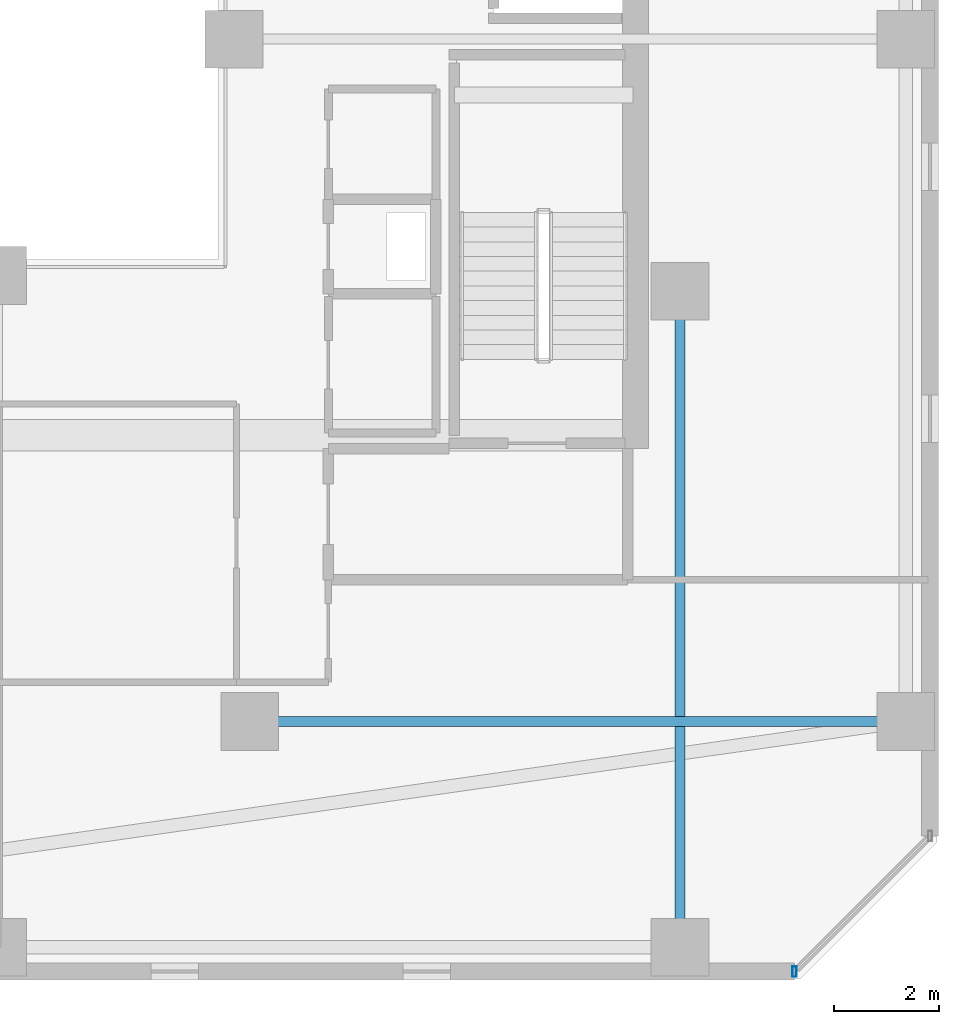
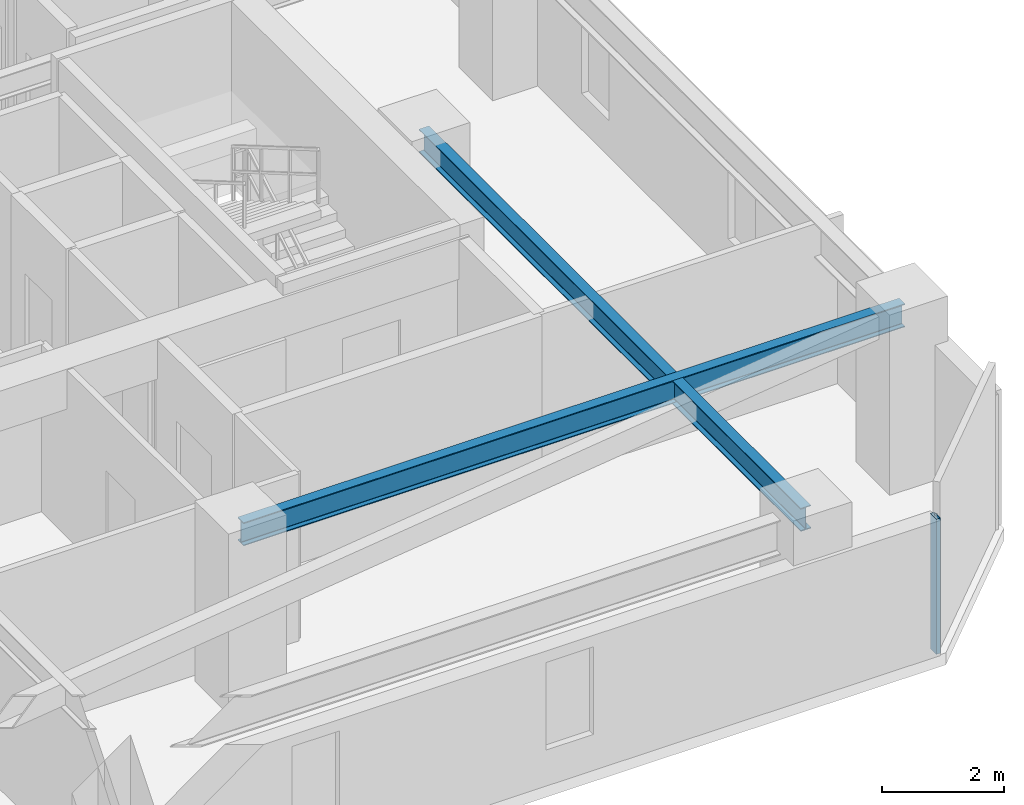
# One storey, part 13 of 33: 2 beams, 1 member, 1 element without a shape of its own.
"""IFC4 building model written with IfcOpenShell, lengths in metres."""

from ifc_helpers import new_model, si_unit, direction, frame, origin, origin_2d, place, context, subcontext, project, spatial, hollow_rectangle, i_section, extrude, material, material_profile, profile_set, type_object, element, aggregate, save


model = new_model("IFC4")

# Units and contexts
model_context = context("Model", 3, precision=1e-05, world=origin(), true_north=direction((0.0, 1.0)))
body_context = subcontext(model_context, "Body", "Model", "MODEL_VIEW")
ifc_project = project(units=[si_unit("LENGTHUNIT", "METRE"), si_unit("AREAUNIT", "SQUARE_METRE"), si_unit("VOLUMEUNIT", "CUBIC_METRE"), si_unit("PLANEANGLEUNIT", "RADIAN"), si_unit("MASSUNIT", "GRAM", prefix="KILO")], contexts=[model_context])

# Site, building, storey
site_placement = place(None, origin())
site = spatial("IfcSite", under=ifc_project, at=site_placement, CompositionType="ELEMENT")
building_placement = place(site_placement, origin())
building = spatial("IfcBuilding", under=site, at=building_placement, Name="Thornwick Lancets Civic Towers", CompositionType="ELEMENT")
storey_placement = place(building_placement, frame((0.0, 0.0, 192.89990234375)))
storey = spatial("IfcBuildingStorey", under=building, at=storey_placement, Name="L51", CompositionType="ELEMENT", Elevation=192.89990234375)

# Beams
ifc_material_1 = material(Name="Steel S355JR", Category="steel")
ifc_material_profile_1 = material_profile(ifc_material_1, i_section(OverallWidth=0.19189453125, OverallDepth=0.46337890625, WebThickness=0.010498046875, FlangeThickness=0.017578125, FilletRadius=0.01025390625, at=origin_2d()), Name="UKB 457x191x89")
ifc_profile_set_1 = profile_set([ifc_material_profile_1], Name="Steel S355JR")
beam_type = type_object("IfcBeamType", Name="BM_JOIST_457_89", PredefinedType="JOIST", material=ifc_profile_set_1)
for number, where, z_axis, x_axis, name in (
    (1, (93.300048828125, 14.0, 3.12841796875), (1.0, 0.0, 0.0), (0.0, 1.0, 0.0), "BM-RADIN-L51-B01"),
    (2, (101.5, 22.199951171875, 3.12841796875), (0.0, -1.0, 0.0), (1.0, 0.0, 0.0), "BM-RADIN-L51-B10"),
):
    element("IfcBeam", number, at=place(storey_placement, frame(where, z_axis=z_axis, x_axis=x_axis)), inside=storey, type_object=beam_type, Name=name, PredefinedType="JOIST", context=body_context, shape_type="SweptSolid", body=[
        extrude(i_section(OverallWidth=0.19189453125, OverallDepth=0.46337890625, WebThickness=0.010498046875, FlangeThickness=0.017578125, FilletRadius=0.01025390625, at=origin_2d()), origin(), (0.0, 0.0, 1.0), 12.5),
    ])

# Curtain wall, member
ifc_material_2 = material(Name="Mid-zone chamfered-corner unitised glass curtain wall", Category="glass")
curtain_wall_type = type_object("IfcCurtainWallType", Name="CW_SYS_04", PredefinedType="NOTDEFINED", material=ifc_material_2)
curtain_wall_placement = place(storey_placement, origin())
curtain_wall = element("IfcCurtainWall", 3, at=curtain_wall_placement, inside=storey, type_object=curtain_wall_type, Name="L51 Curtain Wall CW-L51-B-E1", PredefinedType="NOTDEFINED")
ifc_material_3 = material(Name="Thermally broken bronze aluminium S355", Category="steel")
ifc_material_profile_2 = material_profile(ifc_material_3, hollow_rectangle(XDim=0.080078125, YDim=0.199951171875, WallThickness=0.006103515625, at=origin_2d()), Name="RHS 200x80x6")
ifc_profile_set_2 = profile_set([ifc_material_profile_2], Name="Thermally broken bronze aluminium S355")
member_type = type_object("IfcMemberType", Name="CW_MUL_200", PredefinedType="MULLION", material=ifc_profile_set_2)
member_placement = place(storey_placement, frame((103.681396484375, 9.2353515625, 0.0), z_axis=(0.0, 0.0, 1.0), x_axis=(1.0, 0.0, 0.0)))
member = element("IfcMember", 4, at=member_placement, type_object=member_type, Name="CW-L51-B-E1 Mullion 0", PredefinedType="MULLION", context=body_context, shape_type="SweptSolid", body=[
    extrude(hollow_rectangle(XDim=0.080078125, YDim=0.199951171875, WallThickness=0.006103515625, at=origin_2d()), origin(), (0.0, 0.0, 1.0), 2.7001953125),
])
aggregate(curtain_wall, [member])

save(model, "model.ifc")
